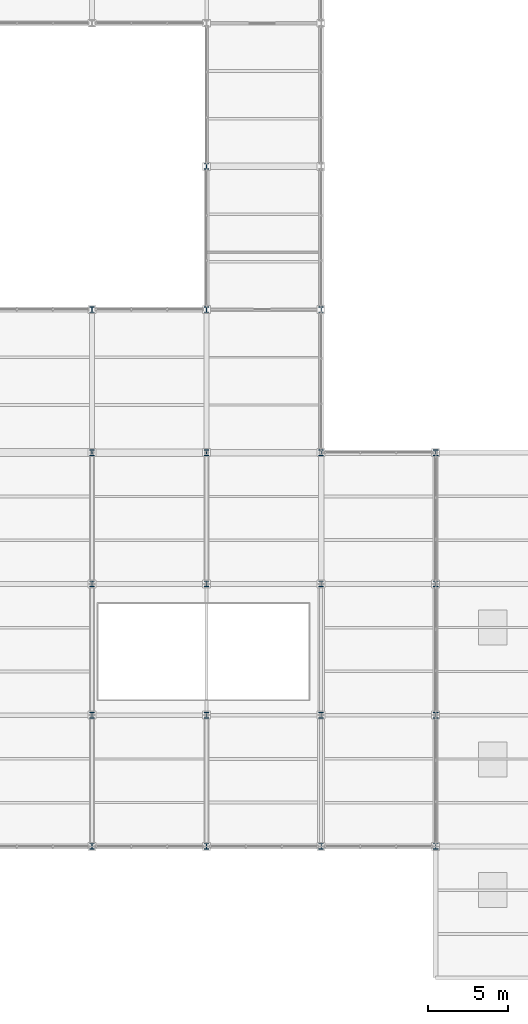
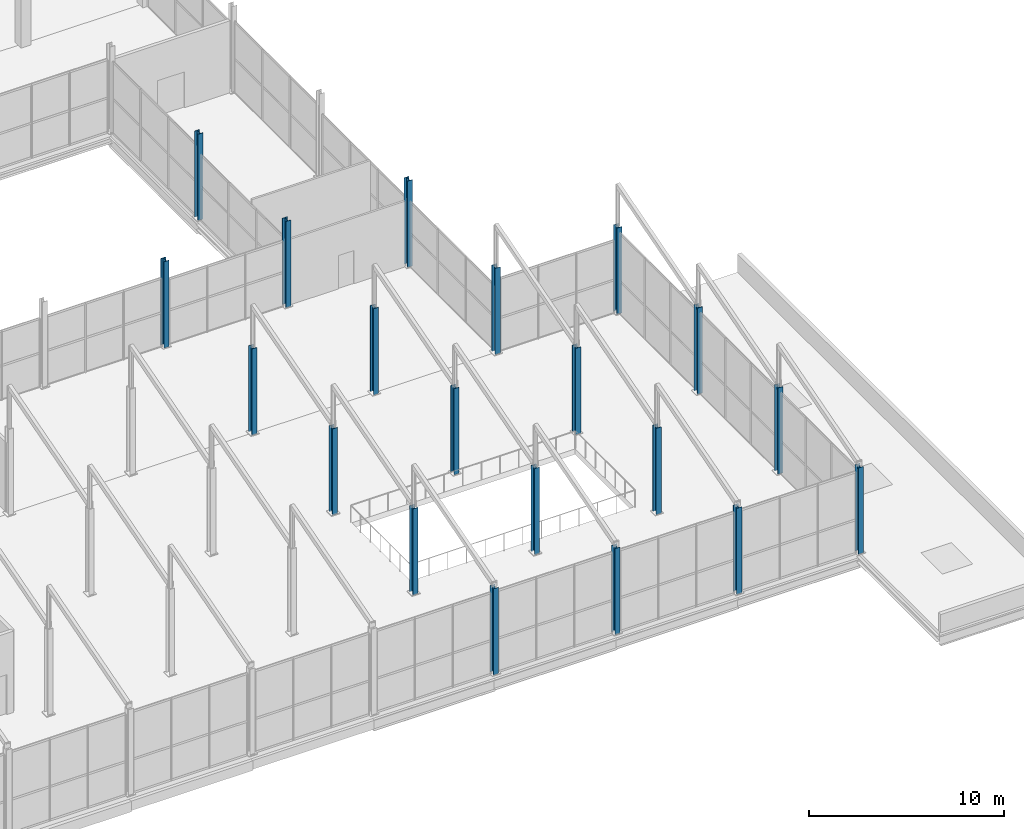
# One storey, part 9 of 141: 20 columns.
"""IFC4 building model written with IfcOpenShell, lengths in metres."""

import ifcopenshell
import ifcopenshell.guid

model = None  # the IFC model being written
_history = None  # IfcOwnerHistory: only IFC2X3 demands one
_inside = {}  # id of a spatial element -> (the spatial element, [elements in it])
_under = {}  # id of a project, library or spatial element -> (it, [spatial elements below it])
_declared = {}  # id of a project -> (the project, [libraries it declares])
_typed = {}  # id of a type object -> (the type object, [elements of that type])
_made_of = {}  # id of a material, layer set ... -> (it, [elements and type objects made of it])


def new_model(schema):
    """Start an empty IFC model of exactly this schema.

    Asked for "IFC4X3", IfcOpenShell would pick the latest addendum, in which some entities
    have other attributes; the version numbers below select the first issue.
    IFC2X3 requires an IfcOwnerHistory on every rooted entity: one is made here for all.
    """
    global model, _history
    if schema == "IFC4X3":
        model = ifcopenshell.file(schema_version=(4, 3, 0, 0))
    else:
        model = ifcopenshell.file(schema=schema)
    _inside.clear()
    _under.clear()
    _declared.clear()
    _typed.clear()
    _made_of.clear()
    _history = None
    if model.schema == "IFC2X3":
        org = make("IfcOrganization", Name="unknown")
        user = make(
            "IfcPersonAndOrganization",
            ThePerson=make("IfcPerson", FamilyName="unknown"),
            TheOrganization=org,
        )
        app = make(
            "IfcApplication",
            ApplicationDeveloper=org,
            Version="unknown",
            ApplicationFullName="unknown",
            ApplicationIdentifier="unknown",
        )
        _history = make(
            "IfcOwnerHistory",
            OwningUser=user,
            OwningApplication=app,
            ChangeAction="ADDED",
            CreationDate=0,
        )
    return model


def make(cls, **values):
    """One entity of the class cls with the attributes given. An attribute that is None is left unset."""
    return model.create_entity(
        cls, **{name: value for name, value in values.items() if value is not None}
    )


def rooted(cls, **values):
    """An entity with a GlobalId (a new one), such as an element, a storey or a relation."""
    return make(cls, GlobalId=ifcopenshell.guid.new(), OwnerHistory=_history, **values)


def si_unit(unit_type, name, prefix=None):
    """IfcSIUnit, for example si_unit("LENGTHUNIT", "METRE", prefix="MILLI")."""
    return make("IfcSIUnit", UnitType=unit_type, Prefix=prefix, Name=name)


def assignment(units):
    """IfcUnitAssignment: the units of a project."""
    return None if units is None else make("IfcUnitAssignment", Units=units)


def point(xyz):
    """IfcCartesianPoint."""
    return None if xyz is None else make("IfcCartesianPoint", Coordinates=xyz)


def direction(xyz):
    """IfcDirection."""
    return None if xyz is None else make("IfcDirection", DirectionRatios=xyz)


def frame(location, z_axis=None, x_axis=None):
    """IfcAxis2Placement3D, a coordinate frame: its origin and axes. An axis left out is left unset."""
    return make(
        "IfcAxis2Placement3D",
        Location=point(location),
        Axis=direction(z_axis),
        RefDirection=direction(x_axis),
    )


def frame_2d(location, x_axis=None):
    """IfcAxis2Placement2D, a coordinate frame in the plane: its origin and x axis."""
    return make(
        "IfcAxis2Placement2D", Location=point(location), RefDirection=direction(x_axis)
    )


def origin():
    """The frame at (0, 0, 0) with its axes left unset."""
    return frame((0.0, 0.0, 0.0))


def origin_2d():
    """The frame at (0, 0) in the plane with its x axis left unset."""
    return frame_2d((0.0, 0.0))


def place(relative_to, where):
    """IfcLocalPlacement: puts the frame where relative to a parent placement (None: the world)."""
    return make(
        "IfcLocalPlacement", PlacementRelTo=relative_to, RelativePlacement=where
    )


def context(
    kind, dimensions, precision=None, world=None, true_north=None, identifier=None
):
    """IfcGeometricRepresentationContext, for example the 3D "Model" context."""
    return make(
        "IfcGeometricRepresentationContext",
        ContextIdentifier=identifier,
        ContextType=kind,
        CoordinateSpaceDimension=dimensions,
        Precision=precision,
        WorldCoordinateSystem=world,
        TrueNorth=true_north,
    )


def subcontext(parent, identifier, kind, view, scale=None):
    """IfcGeometricRepresentationSubContext, for example "Body" below "Model"."""
    return make(
        "IfcGeometricRepresentationSubContext",
        ContextIdentifier=identifier,
        ContextType=kind,
        ParentContext=parent,
        TargetScale=scale,
        TargetView=view,
    )


def project(units=None, contexts=None):
    """IfcProject with its units and contexts."""
    return rooted(
        "IfcProject",
        Name="project",
        RepresentationContexts=contexts,
        UnitsInContext=assignment(units),
    )


def spatial(cls, under=None, at=None, **own):
    """A site, building, storey or space (cls), placed at a placement, below another one or the project."""
    s = rooted(cls, ObjectPlacement=at, **own)
    if under is not None:
        _under.setdefault(under.id(), (under, []))[1].append(s)
    return s


def profile(cls, at=None, kind="AREA", **sizes):
    """A parametric profile (cls). Its sizes go by their IFC names, for example OverallWidth=200.0."""
    return make(cls, ProfileType=kind, Position=at, **sizes)


def i_section(**sizes):
    """IfcIShapeProfileDef."""
    return profile("IfcIShapeProfileDef", **sizes)


def extrude(swept, where, along, depth):
    """IfcExtrudedAreaSolid: the profile swept, set in the frame where, extruded along a direction by depth."""
    return make(
        "IfcExtrudedAreaSolid",
        SweptArea=swept,
        Position=where,
        ExtrudedDirection=direction(along),
        Depth=depth,
    )


def shape(context_of_items, identifier, shape_type, items):
    """IfcShapeRepresentation: the items that make up one representation, for example the "Body"."""
    return make(
        "IfcShapeRepresentation",
        ContextOfItems=context_of_items,
        RepresentationIdentifier=identifier,
        RepresentationType=shape_type,
        Items=items,
    )


def material(Name=None, Category=None):
    """IfcMaterial."""
    return make("IfcMaterial", Name=Name, Category=Category)


def material_profile(
    of_material, cross_section, Name=None, Category=None, Priority=None
):
    """IfcMaterialProfile: a cross section and its material."""
    return make(
        "IfcMaterialProfile",
        Name=Name,
        Material=of_material,
        Profile=cross_section,
        Priority=Priority,
        Category=Category,
    )


def profile_set(profiles, Name=None, composite=None):
    """IfcMaterialProfileSet."""
    return make(
        "IfcMaterialProfileSet",
        Name=Name,
        MaterialProfiles=profiles,
        CompositeProfile=composite,
    )


def made_of(thing, what):
    """Note that an element or type object is made of a material, layer set ...; save() writes the relation."""
    if what is not None:
        _made_of.setdefault(what.id(), (what, []))[1].append(thing)
    return thing


def type_object(cls, material=None, **own):
    """A type object (cls), such as IfcWallType, which elements share."""
    return made_of(rooted(cls, **own), material)


def element(
    cls,
    number,
    at=None,
    inside=None,
    cuts=None,
    type_object=None,
    material=None,
    context=None,
    identifier="Body",
    shape_type=None,
    held_by="IfcProductDefinitionShape",
    body=None,
    shapes=None,
    **own,
):
    """One element of the class cls, such as IfcWall. Its Tag is "e" and its number.

    at: its placement. inside: the storey or other place that contains it. cuts: it is an
    opening in that element (IfcRelVoidsElement). A single representation is given by context,
    identifier, shape_type and body (its items); several are given by shapes. held_by: the class
    of the entity that holds the representations. save() writes the other relations.
    """
    e = rooted(cls, Tag="e%d" % number, ObjectPlacement=at, **own)
    if body is not None:
        shapes = [shape(context, identifier, shape_type, body)]
    if shapes is not None:
        e.Representation = make(held_by, Representations=shapes)
    if inside is not None:
        _inside.setdefault(inside.id(), (inside, []))[1].append(e)
    if cuts is not None:
        rooted(
            "IfcRelVoidsElement", RelatingBuildingElement=cuts, RelatedOpeningElement=e
        )
    if type_object is not None:
        _typed.setdefault(type_object.id(), (type_object, []))[1].append(e)
    return made_of(e, material)


def aggregate(whole, parts):
    """IfcRelAggregates: a whole, such as a stair, and the parts it consists of."""
    return rooted("IfcRelAggregates", RelatingObject=whole, RelatedObjects=parts)


def save(model, path):
    """Write the relations noted so far, then the file.

    IfcRelAggregates (storeys below a building ...), IfcRelContainedInSpatialStructure (elements
    in a storey), IfcRelDefinesByType, IfcRelAssociatesMaterial and IfcRelDeclares: one each for
    every whole, place, type object, material and project.
    """
    for whole, parts in _under.values():
        aggregate(whole, parts)
    for where, things in _inside.values():
        rooted(
            "IfcRelContainedInSpatialStructure",
            RelatedElements=things,
            RelatingStructure=where,
        )
    for kind, things in _typed.values():
        rooted("IfcRelDefinesByType", RelatedObjects=things, RelatingType=kind)
    for what, things in _made_of.values():
        rooted("IfcRelAssociatesMaterial", RelatedObjects=things, RelatingMaterial=what)
    for by, libraries in _declared.values():
        rooted("IfcRelDeclares", RelatingContext=by, RelatedDefinitions=libraries)
    model.write(path)


model = new_model("IFC4")

# Units and contexts
model_context = context("Model", 3, precision=1e-05, world=origin(), true_north=direction((0.0, 1.0)))
body_context = subcontext(model_context, "Body", "Model", "MODEL_VIEW")
ifc_project = project(units=[si_unit("LENGTHUNIT", "METRE"), si_unit("AREAUNIT", "SQUARE_METRE"), si_unit("VOLUMEUNIT", "CUBIC_METRE"), si_unit("PLANEANGLEUNIT", "RADIAN"), si_unit("MASSUNIT", "GRAM", prefix="KILO")], contexts=[model_context])

# Site, building, storey
site_placement = place(None, origin())
site = spatial("IfcSite", under=ifc_project, at=site_placement, CompositionType="ELEMENT")
building_placement = place(site_placement, origin())
building = spatial("IfcBuilding", under=site, at=building_placement, Name="Sundgate Opera House", CompositionType="ELEMENT")
storey_placement = place(building_placement, frame((0.0, 0.0, 11.39990234375)))
storey = spatial("IfcBuildingStorey", under=building, at=storey_placement, Name="L02", CompositionType="ELEMENT", Elevation=11.39990234375)

# Columns
ifc_material = material(Name="Steel S355J2", Category="steel")
ifc_material_profile = material_profile(ifc_material, i_section(OverallWidth=0.300048828125, OverallDepth=0.360107421875, WebThickness=0.012451171875, FlangeThickness=0.0224609375, at=origin_2d()), Name="HEB 360")
ifc_profile_set = profile_set([ifc_material_profile], Name="Steel S355J2")
column_type = type_object("IfcColumnType", Name="CL-STL-360", PredefinedType="COLUMN", material=ifc_profile_set)
for number, where, z_axis, x_axis, name in (
    (1, (131.39990234375, 8.25, 0.0), (0.0, 0.0, 1.0), (1.0, 0.0, 0.0), "L02 Column C0950"),
    (2, (131.39990234375, 16.5, 0.0), (0.0, 0.0, 1.0), (1.0, 0.0, 0.0), "L02 Column C0954"),
    (3, (131.39990234375, 24.75, 0.0), (0.0, 0.0, 1.0), (1.0, 0.0, 0.0), "L02 Column C0958"),
    (4, (131.39990234375, 33.0, 0.0), (0.0, 0.0, 1.0), (1.0, 0.0, 0.0), "L02 Column C0962"),
    (5, (131.39990234375, 42.0, 0.0), (0.0, 0.0, 1.0), (1.0, 0.0, 0.0), "L02 Column C0966"),
    (6, (138.60009765625, 8.25, 0.0), (0.0, 0.0, 1.0), (1.0, 0.0, 0.0), "L02 Column C1000"),
    (7, (138.60009765625, 16.5, 0.0), (0.0, 0.0, 1.0), (1.0, 0.0, 0.0), "L02 Column C1004"),
    (8, (138.60009765625, 24.75, 0.0), (0.0, 0.0, 1.0), (1.0, 0.0, 0.0), "L02 Column C1008"),
    (9, (138.60009765625, 33.0, 0.0), (0.0, 0.0, 1.0), (1.0, 0.0, 0.0), "L02 Column C1012"),
    (10, (138.60009765625, 42.0, 0.0), (0.0, 0.0, 1.0), (1.0, 0.0, 0.0), "L02 Column C1016"),
    (11, (138.60009765625, 51.0, 0.0), (0.0, 0.0, 1.0), (1.0, 0.0, 0.0), "L02 Column C1020"),
    (12, (145.800048828125, 8.25, 0.0), (0.0, 0.0, 1.0), (1.0, 0.0, 0.0), "L02 Column C1054"),
    (13, (145.800048828125, 16.5, 0.0), (0.0, 0.0, 1.0), (1.0, 0.0, 0.0), "L02 Column C1058"),
    (14, (145.800048828125, 24.75, 0.0), (0.0, 0.0, 1.0), (1.0, 0.0, 0.0), "L02 Column C1062"),
    (15, (145.800048828125, 33.0, 0.0), (0.0, 0.0, 1.0), (1.0, 0.0, 0.0), "L02 Column C1066"),
    (16, (145.800048828125, 42.0, 0.0), (0.0, 0.0, 1.0), (1.0, 0.0, 0.0), "L02 Column C1070"),
    (17, (153.0, 8.25, 0.0), (0.0, 0.0, 1.0), (1.0, 0.0, 0.0), "L02 Column C1109"),
    (18, (153.0, 16.5, 0.0), (0.0, 0.0, 1.0), (1.0, 0.0, 0.0), "L02 Column C1113"),
    (19, (153.0, 24.75, 0.0), (0.0, 0.0, 1.0), (1.0, 0.0, 0.0), "L02 Column C1117"),
    (20, (153.0, 33.0, 0.0), (0.0, 0.0, 1.0), (1.0, 0.0, 0.0), "L02 Column C1121"),
):
    element("IfcColumn", number, at=place(storey_placement, frame(where, z_axis=z_axis, x_axis=x_axis)), inside=storey, type_object=column_type, Name=name, PredefinedType="COLUMN", context=body_context, shape_type="SweptSolid", body=[
        extrude(i_section(OverallWidth=0.300048828125, OverallDepth=0.360107421875, WebThickness=0.012451171875, FlangeThickness=0.0224609375, at=origin_2d()), origin(), (0.0, 0.0, 1.0), 5.400146484375),
    ])

save(model, "model.ifc")
